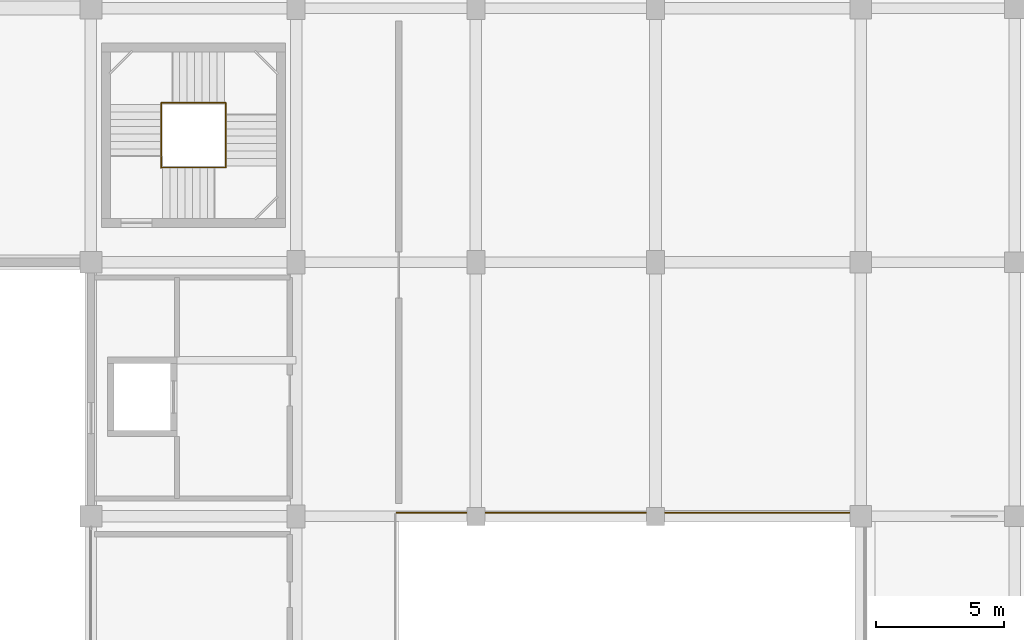
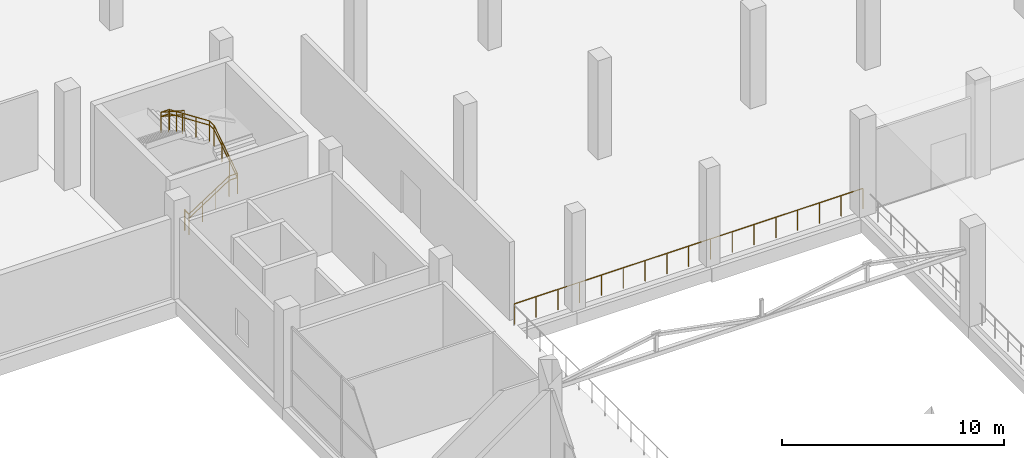
# One storey, part 73 of 74: 4 railings.
"""IFC4 building model written with IfcOpenShell, lengths in metres."""

import ifcopenshell
import ifcopenshell.guid

model = None  # the IFC model being written
_history = None  # IfcOwnerHistory: only IFC2X3 demands one
_inside = {}  # id of a spatial element -> (the spatial element, [elements in it])
_under = {}  # id of a project, library or spatial element -> (it, [spatial elements below it])
_declared = {}  # id of a project -> (the project, [libraries it declares])
_typed = {}  # id of a type object -> (the type object, [elements of that type])
_made_of = {}  # id of a material, layer set ... -> (it, [elements and type objects made of it])


def new_model(schema):
    """Start an empty IFC model of exactly this schema.

    Asked for "IFC4X3", IfcOpenShell would pick the latest addendum, in which some entities
    have other attributes; the version numbers below select the first issue.
    IFC2X3 requires an IfcOwnerHistory on every rooted entity: one is made here for all.
    """
    global model, _history
    if schema == "IFC4X3":
        model = ifcopenshell.file(schema_version=(4, 3, 0, 0))
    else:
        model = ifcopenshell.file(schema=schema)
    _inside.clear()
    _under.clear()
    _declared.clear()
    _typed.clear()
    _made_of.clear()
    _history = None
    if model.schema == "IFC2X3":
        org = make("IfcOrganization", Name="unknown")
        user = make(
            "IfcPersonAndOrganization",
            ThePerson=make("IfcPerson", FamilyName="unknown"),
            TheOrganization=org,
        )
        app = make(
            "IfcApplication",
            ApplicationDeveloper=org,
            Version="unknown",
            ApplicationFullName="unknown",
            ApplicationIdentifier="unknown",
        )
        _history = make(
            "IfcOwnerHistory",
            OwningUser=user,
            OwningApplication=app,
            ChangeAction="ADDED",
            CreationDate=0,
        )
    return model


def make(cls, **values):
    """One entity of the class cls with the attributes given. An attribute that is None is left unset."""
    return model.create_entity(
        cls, **{name: value for name, value in values.items() if value is not None}
    )


def rooted(cls, **values):
    """An entity with a GlobalId (a new one), such as an element, a storey or a relation."""
    return make(cls, GlobalId=ifcopenshell.guid.new(), OwnerHistory=_history, **values)


def si_unit(unit_type, name, prefix=None):
    """IfcSIUnit, for example si_unit("LENGTHUNIT", "METRE", prefix="MILLI")."""
    return make("IfcSIUnit", UnitType=unit_type, Prefix=prefix, Name=name)


def assignment(units):
    """IfcUnitAssignment: the units of a project."""
    return None if units is None else make("IfcUnitAssignment", Units=units)


def point(xyz):
    """IfcCartesianPoint."""
    return None if xyz is None else make("IfcCartesianPoint", Coordinates=xyz)


def direction(xyz):
    """IfcDirection."""
    return None if xyz is None else make("IfcDirection", DirectionRatios=xyz)


def frame(location, z_axis=None, x_axis=None):
    """IfcAxis2Placement3D, a coordinate frame: its origin and axes. An axis left out is left unset."""
    return make(
        "IfcAxis2Placement3D",
        Location=point(location),
        Axis=direction(z_axis),
        RefDirection=direction(x_axis),
    )


def frame_2d(location, x_axis=None):
    """IfcAxis2Placement2D, a coordinate frame in the plane: its origin and x axis."""
    return make(
        "IfcAxis2Placement2D", Location=point(location), RefDirection=direction(x_axis)
    )


def origin():
    """The frame at (0, 0, 0) with its axes left unset."""
    return frame((0.0, 0.0, 0.0))


def origin_2d():
    """The frame at (0, 0) in the plane with its x axis left unset."""
    return frame_2d((0.0, 0.0))


def place(relative_to, where):
    """IfcLocalPlacement: puts the frame where relative to a parent placement (None: the world)."""
    return make(
        "IfcLocalPlacement", PlacementRelTo=relative_to, RelativePlacement=where
    )


def context(
    kind, dimensions, precision=None, world=None, true_north=None, identifier=None
):
    """IfcGeometricRepresentationContext, for example the 3D "Model" context."""
    return make(
        "IfcGeometricRepresentationContext",
        ContextIdentifier=identifier,
        ContextType=kind,
        CoordinateSpaceDimension=dimensions,
        Precision=precision,
        WorldCoordinateSystem=world,
        TrueNorth=true_north,
    )


def subcontext(parent, identifier, kind, view, scale=None):
    """IfcGeometricRepresentationSubContext, for example "Body" below "Model"."""
    return make(
        "IfcGeometricRepresentationSubContext",
        ContextIdentifier=identifier,
        ContextType=kind,
        ParentContext=parent,
        TargetScale=scale,
        TargetView=view,
    )


def project(units=None, contexts=None):
    """IfcProject with its units and contexts."""
    return rooted(
        "IfcProject",
        Name="project",
        RepresentationContexts=contexts,
        UnitsInContext=assignment(units),
    )


def spatial(cls, under=None, at=None, **own):
    """A site, building, storey or space (cls), placed at a placement, below another one or the project."""
    s = rooted(cls, ObjectPlacement=at, **own)
    if under is not None:
        _under.setdefault(under.id(), (under, []))[1].append(s)
    return s


def profile(cls, at=None, kind="AREA", **sizes):
    """A parametric profile (cls). Its sizes go by their IFC names, for example OverallWidth=200.0."""
    return make(cls, ProfileType=kind, Position=at, **sizes)


def circle(**sizes):
    """IfcCircleProfileDef."""
    return profile("IfcCircleProfileDef", **sizes)


def extrude(swept, where, along, depth):
    """IfcExtrudedAreaSolid: the profile swept, set in the frame where, extruded along a direction by depth."""
    return make(
        "IfcExtrudedAreaSolid",
        SweptArea=swept,
        Position=where,
        ExtrudedDirection=direction(along),
        Depth=depth,
    )


def shape(context_of_items, identifier, shape_type, items):
    """IfcShapeRepresentation: the items that make up one representation, for example the "Body"."""
    return make(
        "IfcShapeRepresentation",
        ContextOfItems=context_of_items,
        RepresentationIdentifier=identifier,
        RepresentationType=shape_type,
        Items=items,
    )


def material(Name=None, Category=None):
    """IfcMaterial."""
    return make("IfcMaterial", Name=Name, Category=Category)


def made_of(thing, what):
    """Note that an element or type object is made of a material, layer set ...; save() writes the relation."""
    if what is not None:
        _made_of.setdefault(what.id(), (what, []))[1].append(thing)
    return thing


def type_object(cls, material=None, **own):
    """A type object (cls), such as IfcWallType, which elements share."""
    return made_of(rooted(cls, **own), material)


def element(
    cls,
    number,
    at=None,
    inside=None,
    cuts=None,
    type_object=None,
    material=None,
    context=None,
    identifier="Body",
    shape_type=None,
    held_by="IfcProductDefinitionShape",
    body=None,
    shapes=None,
    **own,
):
    """One element of the class cls, such as IfcWall. Its Tag is "e" and its number.

    at: its placement. inside: the storey or other place that contains it. cuts: it is an
    opening in that element (IfcRelVoidsElement). A single representation is given by context,
    identifier, shape_type and body (its items); several are given by shapes. held_by: the class
    of the entity that holds the representations. save() writes the other relations.
    """
    e = rooted(cls, Tag="e%d" % number, ObjectPlacement=at, **own)
    if body is not None:
        shapes = [shape(context, identifier, shape_type, body)]
    if shapes is not None:
        e.Representation = make(held_by, Representations=shapes)
    if inside is not None:
        _inside.setdefault(inside.id(), (inside, []))[1].append(e)
    if cuts is not None:
        rooted(
            "IfcRelVoidsElement", RelatingBuildingElement=cuts, RelatedOpeningElement=e
        )
    if type_object is not None:
        _typed.setdefault(type_object.id(), (type_object, []))[1].append(e)
    return made_of(e, material)


def aggregate(whole, parts):
    """IfcRelAggregates: a whole, such as a stair, and the parts it consists of."""
    return rooted("IfcRelAggregates", RelatingObject=whole, RelatedObjects=parts)


def save(model, path):
    """Write the relations noted so far, then the file.

    IfcRelAggregates (storeys below a building ...), IfcRelContainedInSpatialStructure (elements
    in a storey), IfcRelDefinesByType, IfcRelAssociatesMaterial and IfcRelDeclares: one each for
    every whole, place, type object, material and project.
    """
    for whole, parts in _under.values():
        aggregate(whole, parts)
    for where, things in _inside.values():
        rooted(
            "IfcRelContainedInSpatialStructure",
            RelatedElements=things,
            RelatingStructure=where,
        )
    for kind, things in _typed.values():
        rooted("IfcRelDefinesByType", RelatedObjects=things, RelatingType=kind)
    for what, things in _made_of.values():
        rooted("IfcRelAssociatesMaterial", RelatedObjects=things, RelatingMaterial=what)
    for by, libraries in _declared.values():
        rooted("IfcRelDeclares", RelatingContext=by, RelatedDefinitions=libraries)
    model.write(path)


model = new_model("IFC4")

# Units and contexts
model_context = context("Model", 3, precision=1e-05, world=origin(), true_north=direction((0.0, 1.0)))
body_context = subcontext(model_context, "Body", "Model", "MODEL_VIEW")
ifc_project = project(units=[si_unit("LENGTHUNIT", "METRE"), si_unit("AREAUNIT", "SQUARE_METRE"), si_unit("VOLUMEUNIT", "CUBIC_METRE"), si_unit("PLANEANGLEUNIT", "RADIAN"), si_unit("MASSUNIT", "GRAM", prefix="KILO")], contexts=[model_context])

# Site, building, storey
site_placement = place(None, origin())
site = spatial("IfcSite", under=ifc_project, at=site_placement, CompositionType="ELEMENT")
building_placement = place(site_placement, origin())
building = spatial("IfcBuilding", under=site, at=building_placement, Name="Sillaruma Civic Art Gallery", CompositionType="ELEMENT")
storey_placement = place(building_placement, frame((0.0, 0.0, 5.43994140625)))
storey = spatial("IfcBuildingStorey", under=building, at=storey_placement, Name="L01", CompositionType="ELEMENT", Elevation=5.43994140625)

# Railings
ifc_material = material(Name="Stainless Steel AISI 316", Category="steel")
railing_type_1 = type_object("IfcRailingType", Name="RAL-BAL-1150", PredefinedType="BALUSTRADE", material=ifc_material)
railing_1_placement = place(storey_placement, frame((64.739990234375, 82.889892578125, 0.0)))
element("IfcRailing", 1, at=railing_1_placement, inside=storey, type_object=railing_type_1, Name="Stair Floor Edge Guard (ST-02:L01)", PredefinedType="BALUSTRADE", context=body_context, shape_type="SweptSolid", body=[
    extrude(circle(Radius=0.02392578125, at=origin_2d()), frame((0.0, 0.0, 1.1259765625), z_axis=(0.0, 1.0, 0.0), x_axis=(-1.0, 0.0, 0.0)), (0.0, 0.0, 1.0), 0.39013671875),
    extrude(circle(Radius=0.02099609375, at=origin_2d()), origin(), (0.0, 0.0, 1.0), 1.101806640625),
    extrude(circle(Radius=0.02099609375, at=origin_2d()), frame((0.0, 0.39013671875, 0.0)), (0.0, 0.0, 1.0), 1.101806640625),
])
railing_2_placement = place(storey_placement, frame((64.739990234375, 82.889892578125, 0.0)))
element("IfcRailing", 2, at=railing_2_placement, inside=storey, type_object=railing_type_1, Name="Stair Well Balustrade (ST-02-L01)", PredefinedType="BALUSTRADE", context=body_context, shape_type="SweptSolid", body=[
    extrude(circle(Radius=0.02392578125, at=origin_2d()), frame((0.0, 0.0, 1.1259765625), z_axis=(0.838159424827, 0.0, 0.545425318971), x_axis=(0.0, 1.0, 0.0)), (0.0, 0.0, 1.0), 2.49365234375),
    extrude(circle(Radius=0.02392578125, at=origin_2d()), frame((2.090087890625, 0.0, 2.48583984375), z_axis=(1.0, 0.0, 0.0), x_axis=(0.0, 1.0, 0.0)), (0.0, 0.0, 1.0), 0.429931640625),
    extrude(circle(Radius=0.02392578125, at=origin_2d()), frame((2.52001953125, 0.0, 2.48583984375), z_axis=(0.0, 0.838204181713, 0.545356534534), x_axis=(-1.0, 0.0, 0.0)), (0.0, 0.0, 1.0), 2.49365234375),
    extrude(circle(Radius=0.02392578125, at=origin_2d()), frame((2.52001953125, 2.090087890625, 3.845703125), z_axis=(0.0, 1.0, 0.0), x_axis=(-1.0, 0.0, 0.0)), (0.0, 0.0, 1.0), 0.429931640625),
    extrude(circle(Radius=0.02392578125, at=origin_2d()), frame((2.52001953125, 2.52001953125, 3.845703125), z_axis=(-0.838159424827, 0.0, 0.545425318971), x_axis=(0.0, -1.0, 0.0)), (0.0, 0.0, 1.0), 2.49365234375),
    extrude(circle(Radius=0.02392578125, at=origin_2d()), frame((0.429931640625, 2.52001953125, 5.2060546875), z_axis=(-1.0, 0.0, 0.0), x_axis=(0.0, -1.0, 0.0)), (0.0, 0.0, 1.0), 0.429931640625),
    extrude(circle(Radius=0.02392578125, at=origin_2d()), frame((0.0, 2.52001953125, 5.2060546875), z_axis=(0.0, -0.838175058464, 0.545401293883), x_axis=(1.0, 0.0, 0.0)), (0.0, 0.0, 1.0), 2.493408203125),
    extrude(circle(Radius=0.02099609375, at=origin_2d()), origin(), (0.0, 0.0, 1.0), 1.101806640625),
    extrude(circle(Radius=0.02099609375, at=origin_2d()), frame((0.69677734375, 0.0, 0.453369140625)), (0.0, 0.0, 1.0), 1.101806640625),
    extrude(circle(Radius=0.02099609375, at=origin_2d()), frame((1.393310546875, 0.0, 0.90673828125)), (0.0, 0.0, 1.0), 1.101806640625),
    extrude(circle(Radius=0.02099609375, at=origin_2d()), frame((2.090087890625, 0.0, 1.360107421875)), (0.0, 0.0, 1.0), 1.101806640625),
    extrude(circle(Radius=0.02099609375, at=origin_2d()), frame((2.52001953125, 0.0, 1.360107421875)), (0.0, 0.0, 1.0), 1.101806640625),
    extrude(circle(Radius=0.02099609375, at=origin_2d()), frame((2.52001953125, 0.69677734375, 1.8134765625)), (0.0, 0.0, 1.0), 1.101806640625),
    extrude(circle(Radius=0.02099609375, at=origin_2d()), frame((2.52001953125, 1.393310546875, 2.2666015625)), (0.0, 0.0, 1.0), 1.101806640625),
    extrude(circle(Radius=0.02099609375, at=origin_2d()), frame((2.52001953125, 2.090087890625, 2.719970703125)), (0.0, 0.0, 1.0), 1.101806640625),
    extrude(circle(Radius=0.02099609375, at=origin_2d()), frame((2.52001953125, 2.52001953125, 2.719970703125)), (0.0, 0.0, 1.0), 1.101806640625),
    extrude(circle(Radius=0.02099609375, at=origin_2d()), frame((1.8232421875, 2.52001953125, 3.17333984375)), (0.0, 0.0, 1.0), 1.101806640625),
    extrude(circle(Radius=0.02099609375, at=origin_2d()), frame((1.126708984375, 2.52001953125, 3.626708984375)), (0.0, 0.0, 1.0), 1.101806640625),
    extrude(circle(Radius=0.02099609375, at=origin_2d()), frame((0.429931640625, 2.52001953125, 4.080078125)), (0.0, 0.0, 1.0), 1.101806640625),
    extrude(circle(Radius=0.02099609375, at=origin_2d()), frame((0.0, 2.52001953125, 4.080078125)), (0.0, 0.0, 1.0), 1.101806640625),
    extrude(circle(Radius=0.02099609375, at=origin_2d()), frame((0.0, 1.823486328125, 4.533447265625)), (0.0, 0.0, 1.0), 1.101806640625),
    extrude(circle(Radius=0.02099609375, at=origin_2d()), frame((0.0, 1.126708984375, 4.986572265625)), (0.0, 0.0, 1.0), 1.101806640625),
    extrude(circle(Radius=0.02099609375, at=origin_2d()), frame((0.0, 0.43017578125, 5.43994140625)), (0.0, 0.0, 1.0), 1.101806640625),
])
railing_3_placement = place(storey_placement, frame((92.080078125, 69.43994140625, 0.0)))
element("IfcRailing", 3, at=railing_3_placement, inside=storey, type_object=railing_type_1, Name="Sculpture Court Upper Void Balustrade (N)", PredefinedType="BALUSTRADE", context=body_context, shape_type="SweptSolid", body=[
    extrude(circle(Radius=0.02392578125, at=origin_2d()), frame((0.0, 0.0, 1.1259765625), z_axis=(-1.0, 0.0, 0.0), x_axis=(0.0, -1.0, 0.0)), (0.0, 0.0, 1.0), 18.16015625),
    extrude(circle(Radius=0.02099609375, at=origin_2d()), origin(), (0.0, 0.0, 1.0), 1.101806640625),
    extrude(circle(Radius=0.02099609375, at=origin_2d()), frame((-1.135009765625, 0.0, 0.0)), (0.0, 0.0, 1.0), 1.101806640625),
    extrude(circle(Radius=0.02099609375, at=origin_2d()), frame((-2.27001953125, 0.0, 0.0)), (0.0, 0.0, 1.0), 1.101806640625),
    extrude(circle(Radius=0.02099609375, at=origin_2d()), frame((-3.405029296875, 0.0, 0.0)), (0.0, 0.0, 1.0), 1.101806640625),
    extrude(circle(Radius=0.02099609375, at=origin_2d()), frame((-4.5400390625, 0.0, 0.0)), (0.0, 0.0, 1.0), 1.101806640625),
    extrude(circle(Radius=0.02099609375, at=origin_2d()), frame((-5.675048828125, 0.0, 0.0)), (0.0, 0.0, 1.0), 1.101806640625),
    extrude(circle(Radius=0.02099609375, at=origin_2d()), frame((-6.81005859375, 0.0, 0.0)), (0.0, 0.0, 1.0), 1.101806640625),
    extrude(circle(Radius=0.02099609375, at=origin_2d()), frame((-7.945068359375, 0.0, 0.0)), (0.0, 0.0, 1.0), 1.101806640625),
    extrude(circle(Radius=0.02099609375, at=origin_2d()), frame((-9.080078125, 0.0, 0.0)), (0.0, 0.0, 1.0), 1.101806640625),
    extrude(circle(Radius=0.02099609375, at=origin_2d()), frame((-10.215087890625, 0.0, 0.0)), (0.0, 0.0, 1.0), 1.101806640625),
    extrude(circle(Radius=0.02099609375, at=origin_2d()), frame((-11.35009765625, 0.0, 0.0)), (0.0, 0.0, 1.0), 1.101806640625),
    extrude(circle(Radius=0.02099609375, at=origin_2d()), frame((-12.485107421875, 0.0, 0.0)), (0.0, 0.0, 1.0), 1.101806640625),
    extrude(circle(Radius=0.02099609375, at=origin_2d()), frame((-13.6201171875, 0.0, 0.0)), (0.0, 0.0, 1.0), 1.101806640625),
    extrude(circle(Radius=0.02099609375, at=origin_2d()), frame((-14.755126953125, 0.0, 0.0)), (0.0, 0.0, 1.0), 1.101806640625),
    extrude(circle(Radius=0.02099609375, at=origin_2d()), frame((-15.89013671875, 0.0, 0.0)), (0.0, 0.0, 1.0), 1.101806640625),
    extrude(circle(Radius=0.02099609375, at=origin_2d()), frame((-17.025146484375, 0.0, 0.0)), (0.0, 0.0, 1.0), 1.101806640625),
    extrude(circle(Radius=0.02099609375, at=origin_2d()), frame((-18.16015625, 0.0, 0.0)), (0.0, 0.0, 1.0), 1.101806640625),
])
railing_type_2 = type_object("IfcRailingType", Name="RAL-HND-920", PredefinedType="HANDRAIL", material=ifc_material)
railing_4_placement = place(storey_placement, frame((64.739990234375, 82.889892578125, 0.0)))
element("IfcRailing", 4, at=railing_4_placement, inside=storey, type_object=railing_type_2, Name="Stair Continuous Handrail (ST-02-L01)", PredefinedType="HANDRAIL", context=body_context, shape_type="SweptSolid", body=[
    extrude(circle(Radius=0.02392578125, at=origin_2d()), frame((0.0, 0.0, 0.89599609375), z_axis=(0.838159424827, 0.0, 0.545425318971), x_axis=(0.0, 1.0, 0.0)), (0.0, 0.0, 1.0), 2.49365234375),
    extrude(circle(Radius=0.02392578125, at=origin_2d()), frame((2.090087890625, 0.0, 2.255859375), z_axis=(1.0, 0.0, 0.0), x_axis=(0.0, 1.0, 0.0)), (0.0, 0.0, 1.0), 0.429931640625),
    extrude(circle(Radius=0.02392578125, at=origin_2d()), frame((2.52001953125, 0.0, 2.255859375), z_axis=(0.0, 0.838204181713, 0.545356534534), x_axis=(-1.0, 0.0, 0.0)), (0.0, 0.0, 1.0), 2.49365234375),
    extrude(circle(Radius=0.02392578125, at=origin_2d()), frame((2.52001953125, 2.090087890625, 3.61572265625), z_axis=(0.0, 1.0, 0.0), x_axis=(-1.0, 0.0, 0.0)), (0.0, 0.0, 1.0), 0.429931640625),
    extrude(circle(Radius=0.02392578125, at=origin_2d()), frame((2.52001953125, 2.52001953125, 3.61572265625), z_axis=(-0.838159424827, 0.0, 0.545425318971), x_axis=(0.0, -1.0, 0.0)), (0.0, 0.0, 1.0), 2.49365234375),
    extrude(circle(Radius=0.02392578125, at=origin_2d()), frame((0.429931640625, 2.52001953125, 4.97607421875), z_axis=(-1.0, 0.0, 0.0), x_axis=(0.0, -1.0, 0.0)), (0.0, 0.0, 1.0), 0.429931640625),
    extrude(circle(Radius=0.02392578125, at=origin_2d()), frame((0.0, 2.52001953125, 4.97607421875), z_axis=(0.0, -0.838175058464, 0.545401293883), x_axis=(1.0, 0.0, 0.0)), (0.0, 0.0, 1.0), 2.493408203125),
    extrude(circle(Radius=0.02099609375, at=origin_2d()), origin(), (0.0, 0.0, 1.0), 0.871826171875),
    extrude(circle(Radius=0.02099609375, at=origin_2d()), frame((0.69677734375, 0.0, 0.453369140625)), (0.0, 0.0, 1.0), 0.871826171875),
    extrude(circle(Radius=0.02099609375, at=origin_2d()), frame((1.393310546875, 0.0, 0.90673828125)), (0.0, 0.0, 1.0), 0.871826171875),
    extrude(circle(Radius=0.02099609375, at=origin_2d()), frame((2.090087890625, 0.0, 1.360107421875)), (0.0, 0.0, 1.0), 0.871826171875),
    extrude(circle(Radius=0.02099609375, at=origin_2d()), frame((2.52001953125, 0.0, 1.360107421875)), (0.0, 0.0, 1.0), 0.871826171875),
    extrude(circle(Radius=0.02099609375, at=origin_2d()), frame((2.52001953125, 0.69677734375, 1.8134765625)), (0.0, 0.0, 1.0), 0.871826171875),
    extrude(circle(Radius=0.02099609375, at=origin_2d()), frame((2.52001953125, 1.393310546875, 2.2666015625)), (0.0, 0.0, 1.0), 0.871826171875),
    extrude(circle(Radius=0.02099609375, at=origin_2d()), frame((2.52001953125, 2.090087890625, 2.719970703125)), (0.0, 0.0, 1.0), 0.871826171875),
    extrude(circle(Radius=0.02099609375, at=origin_2d()), frame((2.52001953125, 2.52001953125, 2.719970703125)), (0.0, 0.0, 1.0), 0.871826171875),
    extrude(circle(Radius=0.02099609375, at=origin_2d()), frame((1.8232421875, 2.52001953125, 3.17333984375)), (0.0, 0.0, 1.0), 0.871826171875),
    extrude(circle(Radius=0.02099609375, at=origin_2d()), frame((1.126708984375, 2.52001953125, 3.626708984375)), (0.0, 0.0, 1.0), 0.871826171875),
    extrude(circle(Radius=0.02099609375, at=origin_2d()), frame((0.429931640625, 2.52001953125, 4.080078125)), (0.0, 0.0, 1.0), 0.871826171875),
    extrude(circle(Radius=0.02099609375, at=origin_2d()), frame((0.0, 2.52001953125, 4.080078125)), (0.0, 0.0, 1.0), 0.871826171875),
    extrude(circle(Radius=0.02099609375, at=origin_2d()), frame((0.0, 1.823486328125, 4.533447265625)), (0.0, 0.0, 1.0), 0.871826171875),
    extrude(circle(Radius=0.02099609375, at=origin_2d()), frame((0.0, 1.126708984375, 4.986572265625)), (0.0, 0.0, 1.0), 0.871826171875),
    extrude(circle(Radius=0.02099609375, at=origin_2d()), frame((0.0, 0.43017578125, 5.43994140625)), (0.0, 0.0, 1.0), 0.871826171875),
])

save(model, "model.ifc")
